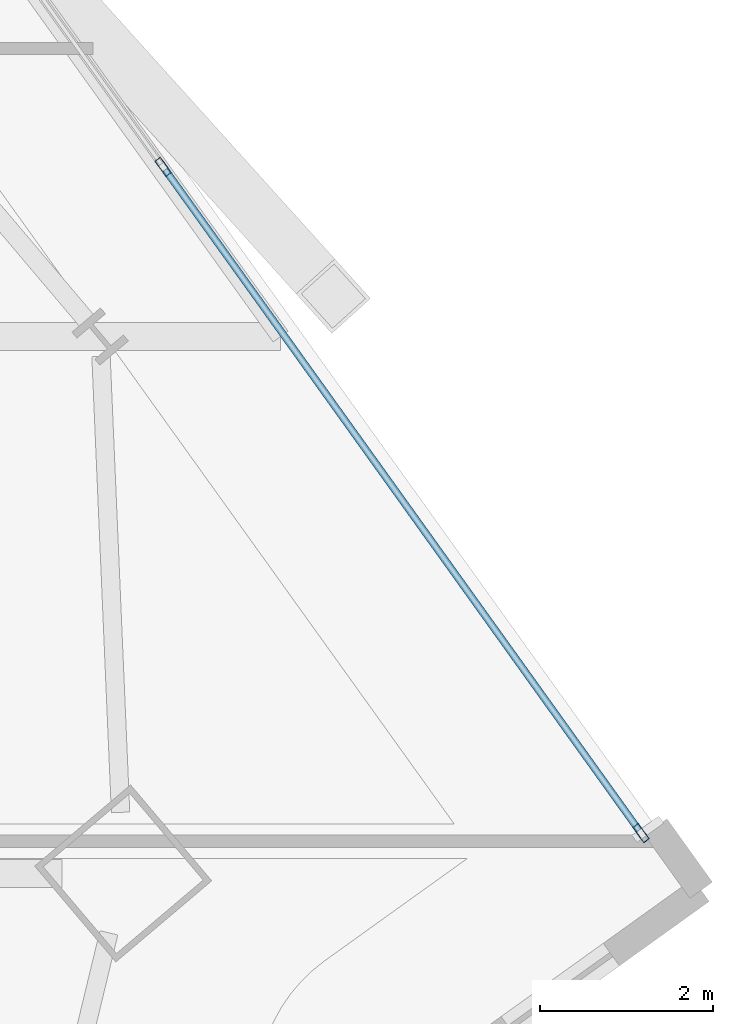
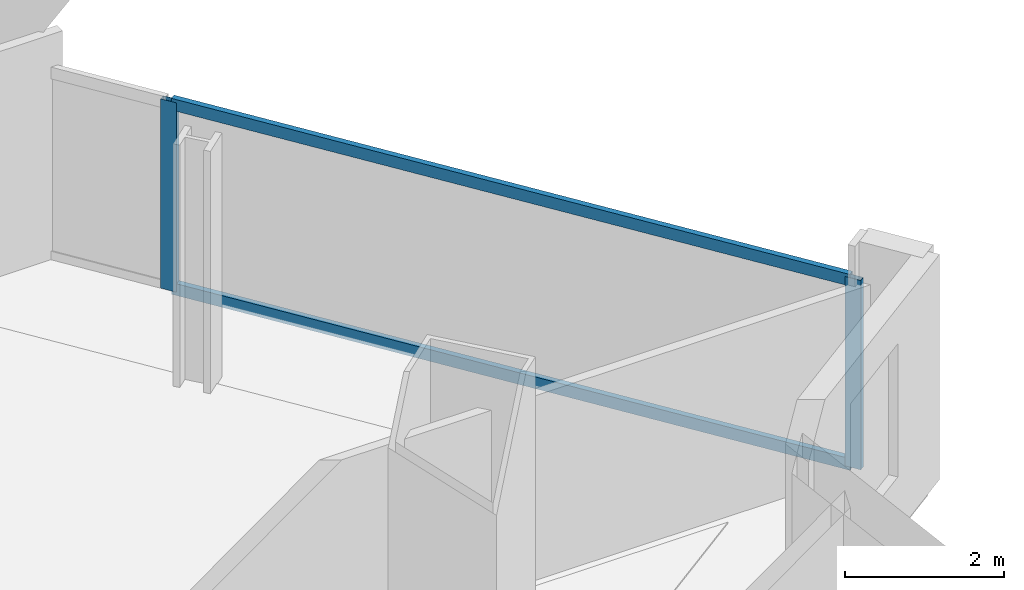
# One storey, part 18 of 33: 4 members, 1 element without a shape of its own.
"""IFC4 building model written with IfcOpenShell, lengths in metres."""

import ifcopenshell
import ifcopenshell.guid

model = None  # the IFC model being written
_history = None  # IfcOwnerHistory: only IFC2X3 demands one
_inside = {}  # id of a spatial element -> (the spatial element, [elements in it])
_under = {}  # id of a project, library or spatial element -> (it, [spatial elements below it])
_declared = {}  # id of a project -> (the project, [libraries it declares])
_typed = {}  # id of a type object -> (the type object, [elements of that type])
_made_of = {}  # id of a material, layer set ... -> (it, [elements and type objects made of it])


def new_model(schema):
    """Start an empty IFC model of exactly this schema.

    Asked for "IFC4X3", IfcOpenShell would pick the latest addendum, in which some entities
    have other attributes; the version numbers below select the first issue.
    IFC2X3 requires an IfcOwnerHistory on every rooted entity: one is made here for all.
    """
    global model, _history
    if schema == "IFC4X3":
        model = ifcopenshell.file(schema_version=(4, 3, 0, 0))
    else:
        model = ifcopenshell.file(schema=schema)
    _inside.clear()
    _under.clear()
    _declared.clear()
    _typed.clear()
    _made_of.clear()
    _history = None
    if model.schema == "IFC2X3":
        org = make("IfcOrganization", Name="unknown")
        user = make(
            "IfcPersonAndOrganization",
            ThePerson=make("IfcPerson", FamilyName="unknown"),
            TheOrganization=org,
        )
        app = make(
            "IfcApplication",
            ApplicationDeveloper=org,
            Version="unknown",
            ApplicationFullName="unknown",
            ApplicationIdentifier="unknown",
        )
        _history = make(
            "IfcOwnerHistory",
            OwningUser=user,
            OwningApplication=app,
            ChangeAction="ADDED",
            CreationDate=0,
        )
    return model


def make(cls, **values):
    """One entity of the class cls with the attributes given. An attribute that is None is left unset."""
    return model.create_entity(
        cls, **{name: value for name, value in values.items() if value is not None}
    )


def rooted(cls, **values):
    """An entity with a GlobalId (a new one), such as an element, a storey or a relation."""
    return make(cls, GlobalId=ifcopenshell.guid.new(), OwnerHistory=_history, **values)


def si_unit(unit_type, name, prefix=None):
    """IfcSIUnit, for example si_unit("LENGTHUNIT", "METRE", prefix="MILLI")."""
    return make("IfcSIUnit", UnitType=unit_type, Prefix=prefix, Name=name)


def assignment(units):
    """IfcUnitAssignment: the units of a project."""
    return None if units is None else make("IfcUnitAssignment", Units=units)


def point(xyz):
    """IfcCartesianPoint."""
    return None if xyz is None else make("IfcCartesianPoint", Coordinates=xyz)


def direction(xyz):
    """IfcDirection."""
    return None if xyz is None else make("IfcDirection", DirectionRatios=xyz)


def frame(location, z_axis=None, x_axis=None):
    """IfcAxis2Placement3D, a coordinate frame: its origin and axes. An axis left out is left unset."""
    return make(
        "IfcAxis2Placement3D",
        Location=point(location),
        Axis=direction(z_axis),
        RefDirection=direction(x_axis),
    )


def frame_2d(location, x_axis=None):
    """IfcAxis2Placement2D, a coordinate frame in the plane: its origin and x axis."""
    return make(
        "IfcAxis2Placement2D", Location=point(location), RefDirection=direction(x_axis)
    )


def origin():
    """The frame at (0, 0, 0) with its axes left unset."""
    return frame((0.0, 0.0, 0.0))


def origin_2d():
    """The frame at (0, 0) in the plane with its x axis left unset."""
    return frame_2d((0.0, 0.0))


def place(relative_to, where):
    """IfcLocalPlacement: puts the frame where relative to a parent placement (None: the world)."""
    return make(
        "IfcLocalPlacement", PlacementRelTo=relative_to, RelativePlacement=where
    )


def context(
    kind, dimensions, precision=None, world=None, true_north=None, identifier=None
):
    """IfcGeometricRepresentationContext, for example the 3D "Model" context."""
    return make(
        "IfcGeometricRepresentationContext",
        ContextIdentifier=identifier,
        ContextType=kind,
        CoordinateSpaceDimension=dimensions,
        Precision=precision,
        WorldCoordinateSystem=world,
        TrueNorth=true_north,
    )


def subcontext(parent, identifier, kind, view, scale=None):
    """IfcGeometricRepresentationSubContext, for example "Body" below "Model"."""
    return make(
        "IfcGeometricRepresentationSubContext",
        ContextIdentifier=identifier,
        ContextType=kind,
        ParentContext=parent,
        TargetScale=scale,
        TargetView=view,
    )


def project(units=None, contexts=None):
    """IfcProject with its units and contexts."""
    return rooted(
        "IfcProject",
        Name="project",
        RepresentationContexts=contexts,
        UnitsInContext=assignment(units),
    )


def spatial(cls, under=None, at=None, **own):
    """A site, building, storey or space (cls), placed at a placement, below another one or the project."""
    s = rooted(cls, ObjectPlacement=at, **own)
    if under is not None:
        _under.setdefault(under.id(), (under, []))[1].append(s)
    return s


def profile(cls, at=None, kind="AREA", **sizes):
    """A parametric profile (cls). Its sizes go by their IFC names, for example OverallWidth=200.0."""
    return make(cls, ProfileType=kind, Position=at, **sizes)


def hollow_rectangle(**sizes):
    """IfcRectangleHollowProfileDef."""
    return profile("IfcRectangleHollowProfileDef", **sizes)


def extrude(swept, where, along, depth):
    """IfcExtrudedAreaSolid: the profile swept, set in the frame where, extruded along a direction by depth."""
    return make(
        "IfcExtrudedAreaSolid",
        SweptArea=swept,
        Position=where,
        ExtrudedDirection=direction(along),
        Depth=depth,
    )


def shape(context_of_items, identifier, shape_type, items):
    """IfcShapeRepresentation: the items that make up one representation, for example the "Body"."""
    return make(
        "IfcShapeRepresentation",
        ContextOfItems=context_of_items,
        RepresentationIdentifier=identifier,
        RepresentationType=shape_type,
        Items=items,
    )


def material(Name=None, Category=None):
    """IfcMaterial."""
    return make("IfcMaterial", Name=Name, Category=Category)


def material_profile(
    of_material, cross_section, Name=None, Category=None, Priority=None
):
    """IfcMaterialProfile: a cross section and its material."""
    return make(
        "IfcMaterialProfile",
        Name=Name,
        Material=of_material,
        Profile=cross_section,
        Priority=Priority,
        Category=Category,
    )


def profile_set(profiles, Name=None, composite=None):
    """IfcMaterialProfileSet."""
    return make(
        "IfcMaterialProfileSet",
        Name=Name,
        MaterialProfiles=profiles,
        CompositeProfile=composite,
    )


def made_of(thing, what):
    """Note that an element or type object is made of a material, layer set ...; save() writes the relation."""
    if what is not None:
        _made_of.setdefault(what.id(), (what, []))[1].append(thing)
    return thing


def type_object(cls, material=None, **own):
    """A type object (cls), such as IfcWallType, which elements share."""
    return made_of(rooted(cls, **own), material)


def element(
    cls,
    number,
    at=None,
    inside=None,
    cuts=None,
    type_object=None,
    material=None,
    context=None,
    identifier="Body",
    shape_type=None,
    held_by="IfcProductDefinitionShape",
    body=None,
    shapes=None,
    **own,
):
    """One element of the class cls, such as IfcWall. Its Tag is "e" and its number.

    at: its placement. inside: the storey or other place that contains it. cuts: it is an
    opening in that element (IfcRelVoidsElement). A single representation is given by context,
    identifier, shape_type and body (its items); several are given by shapes. held_by: the class
    of the entity that holds the representations. save() writes the other relations.
    """
    e = rooted(cls, Tag="e%d" % number, ObjectPlacement=at, **own)
    if body is not None:
        shapes = [shape(context, identifier, shape_type, body)]
    if shapes is not None:
        e.Representation = make(held_by, Representations=shapes)
    if inside is not None:
        _inside.setdefault(inside.id(), (inside, []))[1].append(e)
    if cuts is not None:
        rooted(
            "IfcRelVoidsElement", RelatingBuildingElement=cuts, RelatedOpeningElement=e
        )
    if type_object is not None:
        _typed.setdefault(type_object.id(), (type_object, []))[1].append(e)
    return made_of(e, material)


def aggregate(whole, parts):
    """IfcRelAggregates: a whole, such as a stair, and the parts it consists of."""
    return rooted("IfcRelAggregates", RelatingObject=whole, RelatedObjects=parts)


def save(model, path):
    """Write the relations noted so far, then the file.

    IfcRelAggregates (storeys below a building ...), IfcRelContainedInSpatialStructure (elements
    in a storey), IfcRelDefinesByType, IfcRelAssociatesMaterial and IfcRelDeclares: one each for
    every whole, place, type object, material and project.
    """
    for whole, parts in _under.values():
        aggregate(whole, parts)
    for where, things in _inside.values():
        rooted(
            "IfcRelContainedInSpatialStructure",
            RelatedElements=things,
            RelatingStructure=where,
        )
    for kind, things in _typed.values():
        rooted("IfcRelDefinesByType", RelatedObjects=things, RelatingType=kind)
    for what, things in _made_of.values():
        rooted("IfcRelAssociatesMaterial", RelatedObjects=things, RelatingMaterial=what)
    for by, libraries in _declared.values():
        rooted("IfcRelDeclares", RelatingContext=by, RelatedDefinitions=libraries)
    model.write(path)


model = new_model("IFC4")

# Units and contexts
model_context = context("Model", 3, precision=1e-05, world=origin(), true_north=direction((0.0, 1.0)))
body_context = subcontext(model_context, "Body", "Model", "MODEL_VIEW")
ifc_project = project(units=[si_unit("LENGTHUNIT", "METRE"), si_unit("AREAUNIT", "SQUARE_METRE"), si_unit("VOLUMEUNIT", "CUBIC_METRE"), si_unit("PLANEANGLEUNIT", "RADIAN"), si_unit("MASSUNIT", "GRAM", prefix="KILO")], contexts=[model_context])

# Site, building, storey
site_placement = place(None, origin())
site = spatial("IfcSite", under=ifc_project, at=site_placement, CompositionType="ELEMENT")
building_placement = place(site_placement, origin())
building = spatial("IfcBuilding", under=site, at=building_placement, Name="Haldenkirk Collegiate Tower", CompositionType="ELEMENT")
storey_placement = place(building_placement, frame((0.0, 0.0, 148.199951171875)))
storey = spatial("IfcBuildingStorey", under=building, at=storey_placement, Name="L36", CompositionType="ELEMENT", Elevation=148.199951171875)

# Curtain wall, members
ifc_material = material(Name="Anodised architectural bronze aluminium", Category="aluminium")
curtain_wall_type = type_object("IfcCurtainWallType", Name="CW-SYS1-CONVEX-LOW", PredefinedType="USERDEFINED", material=ifc_material)
curtain_wall_placement = place(storey_placement, origin())
curtain_wall = element("IfcCurtainWall", 1, at=curtain_wall_placement, inside=storey, type_object=curtain_wall_type, Name="L36 Lower tower convex bronze-framed unitised curtain wall", ObjectType="UNITISED CURTAIN WALL", PredefinedType="USERDEFINED")
ifc_material_profile_1 = material_profile(ifc_material, hollow_rectangle(XDim=0.080078125, YDim=0.219970703125, WallThickness=0.0048828125, at=origin_2d()), Name="CW-MUL-1A")
ifc_profile_set_1 = profile_set([ifc_material_profile_1], Name="Anodised architectural bronze aluminium")
member_type_1 = type_object("IfcMemberType", Name="CW-MUL-1A", PredefinedType="MULLION", material=ifc_profile_set_1)
member_1_placement = place(storey_placement, frame((61.92626953125, 32.781494140625, 0.0), z_axis=(0.0, 0.0, 1.0), x_axis=(0.812592330235, 0.582832484375, 0.0)))
member_1 = element("IfcMember", 2, at=member_1_placement, type_object=member_type_1, Name="CW-1A mullion 4", PredefinedType="MULLION", context=body_context, shape_type="SweptSolid", body=[
    extrude(hollow_rectangle(XDim=0.080078125, YDim=0.219970703125, WallThickness=0.0048828125, at=origin_2d()), origin(), (0.0, 0.0, 1.0), 2.9111328125),
])
member_2_placement = place(storey_placement, frame((67.43994140625, 25.094482421875, 0.0), z_axis=(0.0, 0.0, 1.0), x_axis=(0.812592330235, 0.582832484375, 0.0)))
member_2 = element("IfcMember", 3, at=member_2_placement, type_object=member_type_1, Name="CW-1A mullion 5", PredefinedType="MULLION", context=body_context, shape_type="SweptSolid", body=[
    extrude(hollow_rectangle(XDim=0.080078125, YDim=0.219970703125, WallThickness=0.0048828125, at=origin_2d()), origin(), (0.0, 0.0, 1.0), 2.9111328125),
])
ifc_material_profile_2 = material_profile(ifc_material, hollow_rectangle(XDim=0.080078125, YDim=0.179931640625, WallThickness=0.0048828125, at=origin_2d()), Name="CW-TRN-1A")
ifc_profile_set_2 = profile_set([ifc_material_profile_2], Name="Anodised architectural bronze aluminium")
member_type_2 = type_object("IfcMemberType", Name="CW-TRN-1A", PredefinedType="USERDEFINED", material=ifc_profile_set_2)
member_3_placement = place(storey_placement, frame((61.94970703125, 32.7490234375, 0.0400390625), z_axis=(0.582822698019, -0.812599349417, 0.0), x_axis=(0.812599349417, 0.582822698019, 0.0)))
member_3 = element("IfcMember", 4, at=member_3_placement, type_object=member_type_2, Name="CW-1A transom 4.1", ObjectType="TRANSOM", PredefinedType="USERDEFINED", context=body_context, shape_type="SweptSolid", body=[
    extrude(hollow_rectangle(XDim=0.080078125, YDim=0.179931640625, WallThickness=0.0048828125, at=origin_2d()), origin(), (0.0, 0.0, 1.0), 9.3798828125),
])
member_4_placement = place(storey_placement, frame((61.94970703125, 32.7490234375, 2.87109375), z_axis=(0.582822698019, -0.812599349417, 0.0), x_axis=(0.812599349417, 0.582822698019, 0.0)))
member_4 = element("IfcMember", 5, at=member_4_placement, type_object=member_type_2, Name="CW-1A transom 4.2", ObjectType="TRANSOM", PredefinedType="USERDEFINED", context=body_context, shape_type="SweptSolid", body=[
    extrude(hollow_rectangle(XDim=0.080078125, YDim=0.179931640625, WallThickness=0.0048828125, at=origin_2d()), origin(), (0.0, 0.0, 1.0), 9.3798828125),
])
aggregate(curtain_wall, [member_1, member_2, member_3, member_4])

save(model, "model.ifc")
